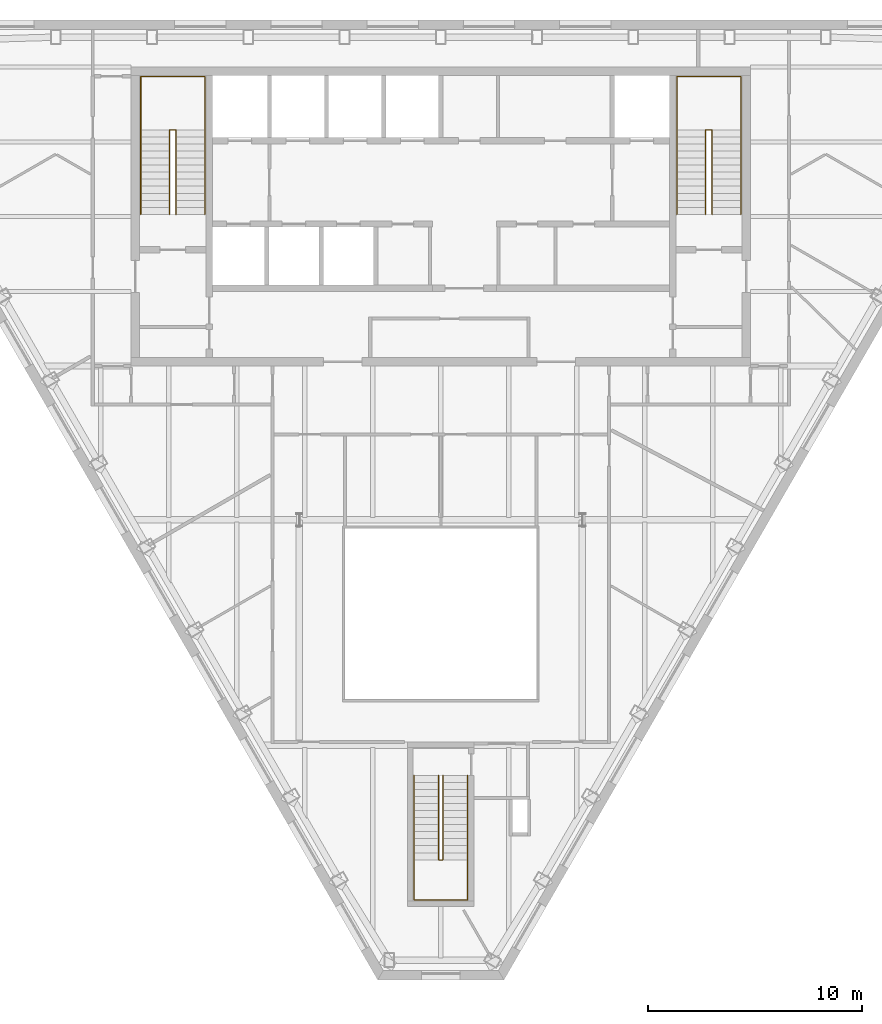
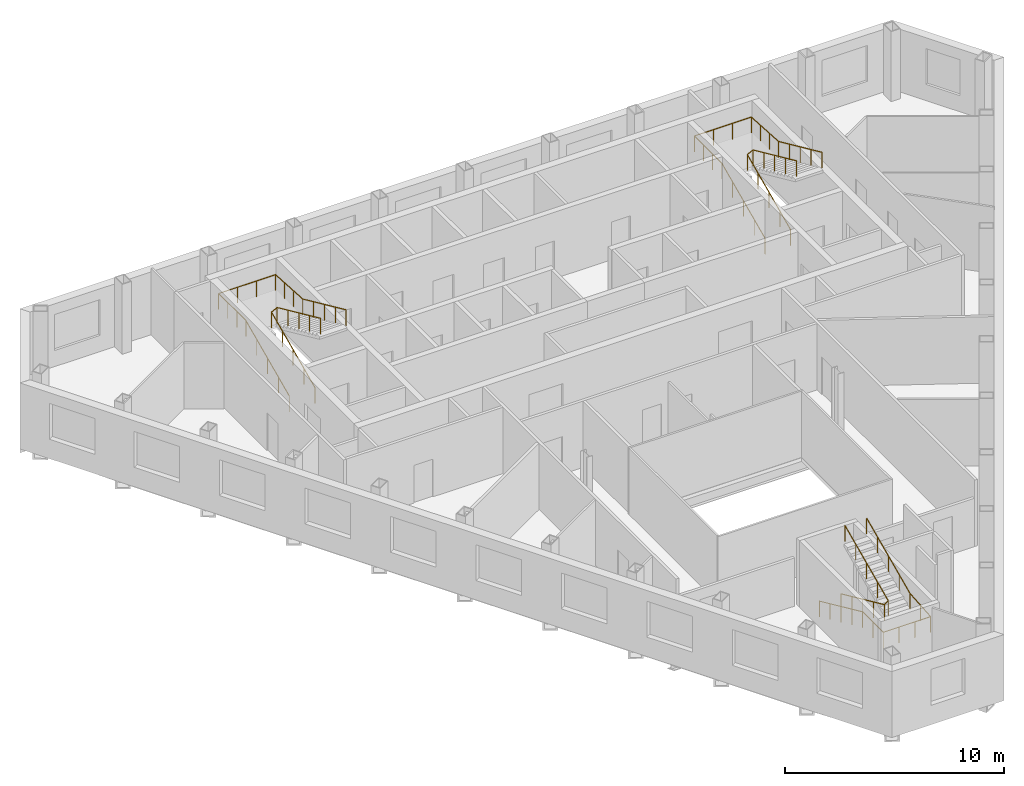
# One storey, part 10 of 10: 6 railings.
"""IFC4 building model written with IfcOpenShell, lengths in metres."""

from ifc_helpers import new_model, si_unit, direction, frame, origin, origin_2d, place, context, subcontext, project, spatial, circle, extrude, material, type_object, element, save


model = new_model("IFC4")

# Units and contexts
model_context = context("Model", 3, precision=1e-05, world=origin(), true_north=direction((0.0, 1.0)))
body_context = subcontext(model_context, "Body", "Model", "MODEL_VIEW")
ifc_project = project(units=[si_unit("LENGTHUNIT", "METRE"), si_unit("AREAUNIT", "SQUARE_METRE"), si_unit("VOLUMEUNIT", "CUBIC_METRE"), si_unit("PLANEANGLEUNIT", "RADIAN"), si_unit("MASSUNIT", "GRAM", prefix="KILO")], contexts=[model_context])

# Site, building, storey
site_placement = place(None, origin())
site = spatial("IfcSite", under=ifc_project, at=site_placement, CompositionType="ELEMENT")
building_placement = place(site_placement, origin())
building = spatial("IfcBuilding", under=site, at=building_placement, Name="Njiva Tower", CompositionType="ELEMENT")
storey_placement = place(building_placement, frame((0.0, 0.0, 257.1)))
storey = spatial("IfcBuildingStorey", under=building, at=storey_placement, Name="L58", CompositionType="ELEMENT", Elevation=257.1)

# Railings
ifc_material = material(Name="Stainless steel", Category="steel")
railing_type = type_object("IfcRailingType", Name="RL1 Stair handrail 900", PredefinedType="HANDRAIL", material=ifc_material)
railing_1_placement = place(storey_placement, frame((-14.05, 11.1, 0.15)))
element("IfcRailing", 1, at=railing_1_placement, inside=storey, type_object=railing_type, Name="Stair A handrail", PredefinedType="HANDRAIL", context=body_context, shape_type="SweptSolid", body=[
    extrude(circle(Radius=0.024, at=origin_2d()), frame((0.0, 0.0, 0.876), z_axis=(0.0, 0.910366477463, 0.413802944301), x_axis=(-1.0, 0.0, 0.0)), (0.0, 0.0, 1.0), 4.3499),
    extrude(circle(Radius=0.024, at=origin_2d()), frame((0.0, 3.96, 2.676), z_axis=(0.0, 1.0, 0.0), x_axis=(-1.0, 0.0, 0.0)), (0.0, 0.0, 1.0), 2.49),
    extrude(circle(Radius=0.024, at=origin_2d()), frame((0.0, 6.45, 2.676), z_axis=(1.0, 0.0, 0.0), x_axis=(0.0, 1.0, 0.0)), (0.0, 0.0, 1.0), 3.0),
    extrude(circle(Radius=0.024, at=origin_2d()), frame((3.0, 6.45, 2.676), z_axis=(0.0, -0.998190436793, 0.060131954024), x_axis=(1.0, 0.0, 0.0)), (0.0, 0.0, 1.0), 2.4945),
    extrude(circle(Radius=0.024, at=origin_2d()), frame((3.0, 3.96, 2.826), z_axis=(0.0, -0.910366477463, 0.413802944301), x_axis=(1.0, 0.0, 0.0)), (0.0, 0.0, 1.0), 4.3499),
    extrude(circle(Radius=0.021, at=origin_2d()), origin(), (0.0, 0.0, 1.0), 0.852),
    extrude(circle(Radius=0.021, at=origin_2d()), frame((0.0, 0.99, 0.45)), (0.0, 0.0, 1.0), 0.852),
    extrude(circle(Radius=0.021, at=origin_2d()), frame((0.0, 1.98, 0.9)), (0.0, 0.0, 1.0), 0.852),
    extrude(circle(Radius=0.021, at=origin_2d()), frame((0.0, 2.97, 1.35)), (0.0, 0.0, 1.0), 0.852),
    extrude(circle(Radius=0.021, at=origin_2d()), frame((0.0, 3.96, 1.8)), (0.0, 0.0, 1.0), 0.852),
    extrude(circle(Radius=0.021, at=origin_2d()), frame((0.0, 4.79, 1.8)), (0.0, 0.0, 1.0), 0.852),
    extrude(circle(Radius=0.021, at=origin_2d()), frame((0.0, 5.62, 1.8)), (0.0, 0.0, 1.0), 0.852),
    extrude(circle(Radius=0.021, at=origin_2d()), frame((0.0, 6.45, 1.8)), (0.0, 0.0, 1.0), 0.852),
    extrude(circle(Radius=0.021, at=origin_2d()), frame((1.0, 6.45, 1.8)), (0.0, 0.0, 1.0), 0.852),
    extrude(circle(Radius=0.021, at=origin_2d()), frame((2.0, 6.45, 1.8)), (0.0, 0.0, 1.0), 0.852),
    extrude(circle(Radius=0.021, at=origin_2d()), frame((3.0, 6.45, 1.8)), (0.0, 0.0, 1.0), 0.852),
    extrude(circle(Radius=0.021, at=origin_2d()), frame((3.0, 5.62, 1.85)), (0.0, 0.0, 1.0), 0.852),
    extrude(circle(Radius=0.021, at=origin_2d()), frame((3.0, 4.79, 1.9)), (0.0, 0.0, 1.0), 0.852),
    extrude(circle(Radius=0.021, at=origin_2d()), frame((3.0, 3.96, 1.95)), (0.0, 0.0, 1.0), 0.852),
    extrude(circle(Radius=0.021, at=origin_2d()), frame((3.0, 2.97, 2.4)), (0.0, 0.0, 1.0), 0.852),
    extrude(circle(Radius=0.021, at=origin_2d()), frame((3.0, 1.98, 2.85)), (0.0, 0.0, 1.0), 0.852),
    extrude(circle(Radius=0.021, at=origin_2d()), frame((3.0, 0.99, 3.3)), (0.0, 0.0, 1.0), 0.852),
    extrude(circle(Radius=0.021, at=origin_2d()), frame((3.0, 0.0, 3.75)), (0.0, 0.0, 1.0), 0.852),
])
railing_2_placement = place(storey_placement, frame((-12.7, 11.1, 0.15)))
element("IfcRailing", 2, at=railing_2_placement, inside=storey, type_object=railing_type, Name="Stair A handrail", PredefinedType="HANDRAIL", context=body_context, shape_type="SweptSolid", body=[
    extrude(circle(Radius=0.024, at=origin_2d()), frame((0.0, 0.0, 0.876), z_axis=(0.0, 0.910366477463, 0.413802944301), x_axis=(-1.0, 0.0, 0.0)), (0.0, 0.0, 1.0), 4.3499),
    extrude(circle(Radius=0.024, at=origin_2d()), frame((0.0, 3.96, 2.676), z_axis=(0.894427191, 0.0, 0.4472135955), x_axis=(0.0, 1.0, 0.0)), (0.0, 0.0, 1.0), 0.3354),
    extrude(circle(Radius=0.024, at=origin_2d()), frame((0.3, 3.96, 2.826), z_axis=(0.0, -0.910366477463, 0.413802944301), x_axis=(1.0, 0.0, 0.0)), (0.0, 0.0, 1.0), 4.3499),
    extrude(circle(Radius=0.021, at=origin_2d()), origin(), (0.0, 0.0, 1.0), 0.852),
    extrude(circle(Radius=0.021, at=origin_2d()), frame((0.0, 0.99, 0.45)), (0.0, 0.0, 1.0), 0.852),
    extrude(circle(Radius=0.021, at=origin_2d()), frame((0.0, 1.98, 0.9)), (0.0, 0.0, 1.0), 0.852),
    extrude(circle(Radius=0.021, at=origin_2d()), frame((0.0, 2.97, 1.35)), (0.0, 0.0, 1.0), 0.852),
    extrude(circle(Radius=0.021, at=origin_2d()), frame((0.0, 3.96, 1.8)), (0.0, 0.0, 1.0), 0.852),
    extrude(circle(Radius=0.021, at=origin_2d()), frame((0.3, 3.96, 1.95)), (0.0, 0.0, 1.0), 0.852),
    extrude(circle(Radius=0.021, at=origin_2d()), frame((0.3, 2.97, 2.4)), (0.0, 0.0, 1.0), 0.852),
    extrude(circle(Radius=0.021, at=origin_2d()), frame((0.3, 1.98, 2.85)), (0.0, 0.0, 1.0), 0.852),
    extrude(circle(Radius=0.021, at=origin_2d()), frame((0.3, 0.99, 3.3)), (0.0, 0.0, 1.0), 0.852),
    extrude(circle(Radius=0.021, at=origin_2d()), frame((0.3, 0.0, 3.75)), (0.0, 0.0, 1.0), 0.852),
])
railing_3_placement = place(storey_placement, frame((11.05, 11.1, 0.15)))
element("IfcRailing", 3, at=railing_3_placement, inside=storey, type_object=railing_type, Name="Stair B handrail", PredefinedType="HANDRAIL", context=body_context, shape_type="SweptSolid", body=[
    extrude(circle(Radius=0.024, at=origin_2d()), frame((0.0, 0.0, 0.876), z_axis=(0.0, 0.910366477463, 0.413802944301), x_axis=(-1.0, 0.0, 0.0)), (0.0, 0.0, 1.0), 4.3499),
    extrude(circle(Radius=0.024, at=origin_2d()), frame((0.0, 3.96, 2.676), z_axis=(0.0, 1.0, 0.0), x_axis=(-1.0, 0.0, 0.0)), (0.0, 0.0, 1.0), 2.49),
    extrude(circle(Radius=0.024, at=origin_2d()), frame((0.0, 6.45, 2.676), z_axis=(1.0, 0.0, 0.0), x_axis=(0.0, 1.0, 0.0)), (0.0, 0.0, 1.0), 3.0),
    extrude(circle(Radius=0.024, at=origin_2d()), frame((3.0, 6.45, 2.676), z_axis=(0.0, -0.998190436793, 0.060131954024), x_axis=(1.0, 0.0, 0.0)), (0.0, 0.0, 1.0), 2.4945),
    extrude(circle(Radius=0.024, at=origin_2d()), frame((3.0, 3.96, 2.826), z_axis=(0.0, -0.910366477463, 0.413802944301), x_axis=(1.0, 0.0, 0.0)), (0.0, 0.0, 1.0), 4.3499),
    extrude(circle(Radius=0.021, at=origin_2d()), origin(), (0.0, 0.0, 1.0), 0.852),
    extrude(circle(Radius=0.021, at=origin_2d()), frame((0.0, 0.99, 0.45)), (0.0, 0.0, 1.0), 0.852),
    extrude(circle(Radius=0.021, at=origin_2d()), frame((0.0, 1.98, 0.9)), (0.0, 0.0, 1.0), 0.852),
    extrude(circle(Radius=0.021, at=origin_2d()), frame((0.0, 2.97, 1.35)), (0.0, 0.0, 1.0), 0.852),
    extrude(circle(Radius=0.021, at=origin_2d()), frame((0.0, 3.96, 1.8)), (0.0, 0.0, 1.0), 0.852),
    extrude(circle(Radius=0.021, at=origin_2d()), frame((0.0, 4.79, 1.8)), (0.0, 0.0, 1.0), 0.852),
    extrude(circle(Radius=0.021, at=origin_2d()), frame((0.0, 5.62, 1.8)), (0.0, 0.0, 1.0), 0.852),
    extrude(circle(Radius=0.021, at=origin_2d()), frame((0.0, 6.45, 1.8)), (0.0, 0.0, 1.0), 0.852),
    extrude(circle(Radius=0.021, at=origin_2d()), frame((1.0, 6.45, 1.8)), (0.0, 0.0, 1.0), 0.852),
    extrude(circle(Radius=0.021, at=origin_2d()), frame((2.0, 6.45, 1.8)), (0.0, 0.0, 1.0), 0.852),
    extrude(circle(Radius=0.021, at=origin_2d()), frame((3.0, 6.45, 1.8)), (0.0, 0.0, 1.0), 0.852),
    extrude(circle(Radius=0.021, at=origin_2d()), frame((3.0, 5.62, 1.85)), (0.0, 0.0, 1.0), 0.852),
    extrude(circle(Radius=0.021, at=origin_2d()), frame((3.0, 4.79, 1.9)), (0.0, 0.0, 1.0), 0.852),
    extrude(circle(Radius=0.021, at=origin_2d()), frame((3.0, 3.96, 1.95)), (0.0, 0.0, 1.0), 0.852),
    extrude(circle(Radius=0.021, at=origin_2d()), frame((3.0, 2.97, 2.4)), (0.0, 0.0, 1.0), 0.852),
    extrude(circle(Radius=0.021, at=origin_2d()), frame((3.0, 1.98, 2.85)), (0.0, 0.0, 1.0), 0.852),
    extrude(circle(Radius=0.021, at=origin_2d()), frame((3.0, 0.99, 3.3)), (0.0, 0.0, 1.0), 0.852),
    extrude(circle(Radius=0.021, at=origin_2d()), frame((3.0, 0.0, 3.75)), (0.0, 0.0, 1.0), 0.852),
])
railing_4_placement = place(storey_placement, frame((12.4, 11.1, 0.15)))
element("IfcRailing", 4, at=railing_4_placement, inside=storey, type_object=railing_type, Name="Stair B handrail", PredefinedType="HANDRAIL", context=body_context, shape_type="SweptSolid", body=[
    extrude(circle(Radius=0.024, at=origin_2d()), frame((0.0, 0.0, 0.876), z_axis=(0.0, 0.910366477463, 0.413802944301), x_axis=(-1.0, 0.0, 0.0)), (0.0, 0.0, 1.0), 4.3499),
    extrude(circle(Radius=0.024, at=origin_2d()), frame((0.0, 3.96, 2.676), z_axis=(0.894427191, 0.0, 0.4472135955), x_axis=(0.0, 1.0, 0.0)), (0.0, 0.0, 1.0), 0.3354),
    extrude(circle(Radius=0.024, at=origin_2d()), frame((0.3, 3.96, 2.826), z_axis=(0.0, -0.910366477463, 0.413802944301), x_axis=(1.0, 0.0, 0.0)), (0.0, 0.0, 1.0), 4.3499),
    extrude(circle(Radius=0.021, at=origin_2d()), origin(), (0.0, 0.0, 1.0), 0.852),
    extrude(circle(Radius=0.021, at=origin_2d()), frame((0.0, 0.99, 0.45)), (0.0, 0.0, 1.0), 0.852),
    extrude(circle(Radius=0.021, at=origin_2d()), frame((0.0, 1.98, 0.9)), (0.0, 0.0, 1.0), 0.852),
    extrude(circle(Radius=0.021, at=origin_2d()), frame((0.0, 2.97, 1.35)), (0.0, 0.0, 1.0), 0.852),
    extrude(circle(Radius=0.021, at=origin_2d()), frame((0.0, 3.96, 1.8)), (0.0, 0.0, 1.0), 0.852),
    extrude(circle(Radius=0.021, at=origin_2d()), frame((0.3, 3.96, 1.95)), (0.0, 0.0, 1.0), 0.852),
    extrude(circle(Radius=0.021, at=origin_2d()), frame((0.3, 2.97, 2.4)), (0.0, 0.0, 1.0), 0.852),
    extrude(circle(Radius=0.021, at=origin_2d()), frame((0.3, 1.98, 2.85)), (0.0, 0.0, 1.0), 0.852),
    extrude(circle(Radius=0.021, at=origin_2d()), frame((0.3, 0.99, 3.3)), (0.0, 0.0, 1.0), 0.852),
    extrude(circle(Radius=0.021, at=origin_2d()), frame((0.3, 0.0, 3.75)), (0.0, 0.0, 1.0), 0.852),
])
railing_5_placement = place(storey_placement, frame((-1.25, -15.16, 0.15)))
element("IfcRailing", 5, at=railing_5_placement, inside=storey, type_object=railing_type, Name="Stair C handrail", PredefinedType="HANDRAIL", context=body_context, shape_type="SweptSolid", body=[
    extrude(circle(Radius=0.024, at=origin_2d()), frame((0.0, 0.0, 0.876), z_axis=(0.0, -0.910366477463, 0.413802944301), x_axis=(1.0, 0.0, 0.0)), (0.0, 0.0, 1.0), 4.3499),
    extrude(circle(Radius=0.024, at=origin_2d()), frame((0.0, -3.96, 2.676), z_axis=(0.0, -1.0, 0.0), x_axis=(1.0, 0.0, 0.0)), (0.0, 0.0, 1.0), 1.88),
    extrude(circle(Radius=0.024, at=origin_2d()), frame((0.0, -5.84, 2.676), z_axis=(1.0, 0.0, 0.0), x_axis=(0.0, 1.0, 0.0)), (0.0, 0.0, 1.0), 2.5),
    extrude(circle(Radius=0.024, at=origin_2d()), frame((2.5, -5.84, 2.676), z_axis=(0.0, 0.996832115713, 0.079534477318), x_axis=(-1.0, 0.0, 0.0)), (0.0, 0.0, 1.0), 1.886),
    extrude(circle(Radius=0.024, at=origin_2d()), frame((2.5, -3.96, 2.826), z_axis=(0.0, 0.910366477463, 0.413802944301), x_axis=(-1.0, 0.0, 0.0)), (0.0, 0.0, 1.0), 4.3499),
    extrude(circle(Radius=0.021, at=origin_2d()), origin(), (0.0, 0.0, 1.0), 0.852),
    extrude(circle(Radius=0.021, at=origin_2d()), frame((0.0, -0.99, 0.45)), (0.0, 0.0, 1.0), 0.852),
    extrude(circle(Radius=0.021, at=origin_2d()), frame((0.0, -1.98, 0.9)), (0.0, 0.0, 1.0), 0.852),
    extrude(circle(Radius=0.021, at=origin_2d()), frame((0.0, -2.97, 1.35)), (0.0, 0.0, 1.0), 0.852),
    extrude(circle(Radius=0.021, at=origin_2d()), frame((0.0, -3.96, 1.8)), (0.0, 0.0, 1.0), 0.852),
    extrude(circle(Radius=0.021, at=origin_2d()), frame((0.0, -4.9, 1.8)), (0.0, 0.0, 1.0), 0.852),
    extrude(circle(Radius=0.021, at=origin_2d()), frame((0.0, -5.84, 1.8)), (0.0, 0.0, 1.0), 0.852),
    extrude(circle(Radius=0.021, at=origin_2d()), frame((0.8333, -5.84, 1.8)), (0.0, 0.0, 1.0), 0.852),
    extrude(circle(Radius=0.021, at=origin_2d()), frame((1.6667, -5.84, 1.8)), (0.0, 0.0, 1.0), 0.852),
    extrude(circle(Radius=0.021, at=origin_2d()), frame((2.5, -5.84, 1.8)), (0.0, 0.0, 1.0), 0.852),
    extrude(circle(Radius=0.021, at=origin_2d()), frame((2.5, -4.9, 1.875)), (0.0, 0.0, 1.0), 0.852),
    extrude(circle(Radius=0.021, at=origin_2d()), frame((2.5, -3.96, 1.95)), (0.0, 0.0, 1.0), 0.852),
    extrude(circle(Radius=0.021, at=origin_2d()), frame((2.5, -2.97, 2.4)), (0.0, 0.0, 1.0), 0.852),
    extrude(circle(Radius=0.021, at=origin_2d()), frame((2.5, -1.98, 2.85)), (0.0, 0.0, 1.0), 0.852),
    extrude(circle(Radius=0.021, at=origin_2d()), frame((2.5, -0.99, 3.3)), (0.0, 0.0, 1.0), 0.852),
    extrude(circle(Radius=0.021, at=origin_2d()), frame((2.5, 0.0, 3.75)), (0.0, 0.0, 1.0), 0.852),
])
railing_6_placement = place(storey_placement, frame((-0.1, -15.16, 0.15)))
element("IfcRailing", 6, at=railing_6_placement, inside=storey, type_object=railing_type, Name="Stair C handrail", PredefinedType="HANDRAIL", context=body_context, shape_type="SweptSolid", body=[
    extrude(circle(Radius=0.024, at=origin_2d()), frame((0.0, 0.0, 0.876), z_axis=(0.0, -0.910366477463, 0.413802944301), x_axis=(1.0, 0.0, 0.0)), (0.0, 0.0, 1.0), 4.3499),
    extrude(circle(Radius=0.024, at=origin_2d()), frame((0.0, -3.96, 2.676), z_axis=(0.8, 0.0, 0.6), x_axis=(0.0, 1.0, 0.0)), (0.0, 0.0, 1.0), 0.25),
    extrude(circle(Radius=0.024, at=origin_2d()), frame((0.2, -3.96, 2.826), z_axis=(0.0, 0.910366477463, 0.413802944301), x_axis=(-1.0, 0.0, 0.0)), (0.0, 0.0, 1.0), 4.3499),
    extrude(circle(Radius=0.021, at=origin_2d()), origin(), (0.0, 0.0, 1.0), 0.852),
    extrude(circle(Radius=0.021, at=origin_2d()), frame((0.0, -0.99, 0.45)), (0.0, 0.0, 1.0), 0.852),
    extrude(circle(Radius=0.021, at=origin_2d()), frame((0.0, -1.98, 0.9)), (0.0, 0.0, 1.0), 0.852),
    extrude(circle(Radius=0.021, at=origin_2d()), frame((0.0, -2.97, 1.35)), (0.0, 0.0, 1.0), 0.852),
    extrude(circle(Radius=0.021, at=origin_2d()), frame((0.0, -3.96, 1.8)), (0.0, 0.0, 1.0), 0.852),
    extrude(circle(Radius=0.021, at=origin_2d()), frame((0.2, -3.96, 1.95)), (0.0, 0.0, 1.0), 0.852),
    extrude(circle(Radius=0.021, at=origin_2d()), frame((0.2, -2.97, 2.4)), (0.0, 0.0, 1.0), 0.852),
    extrude(circle(Radius=0.021, at=origin_2d()), frame((0.2, -1.98, 2.85)), (0.0, 0.0, 1.0), 0.852),
    extrude(circle(Radius=0.021, at=origin_2d()), frame((0.2, -0.99, 3.3)), (0.0, 0.0, 1.0), 0.852),
    extrude(circle(Radius=0.021, at=origin_2d()), frame((0.2, 0.0, 3.75)), (0.0, 0.0, 1.0), 0.852),
])

save(model, "model.ifc")
